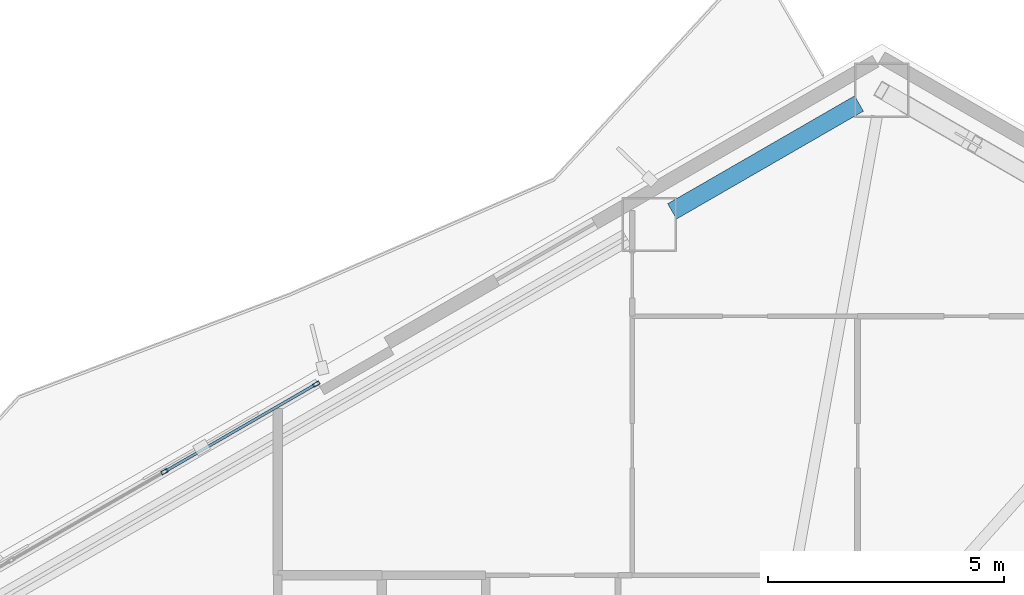
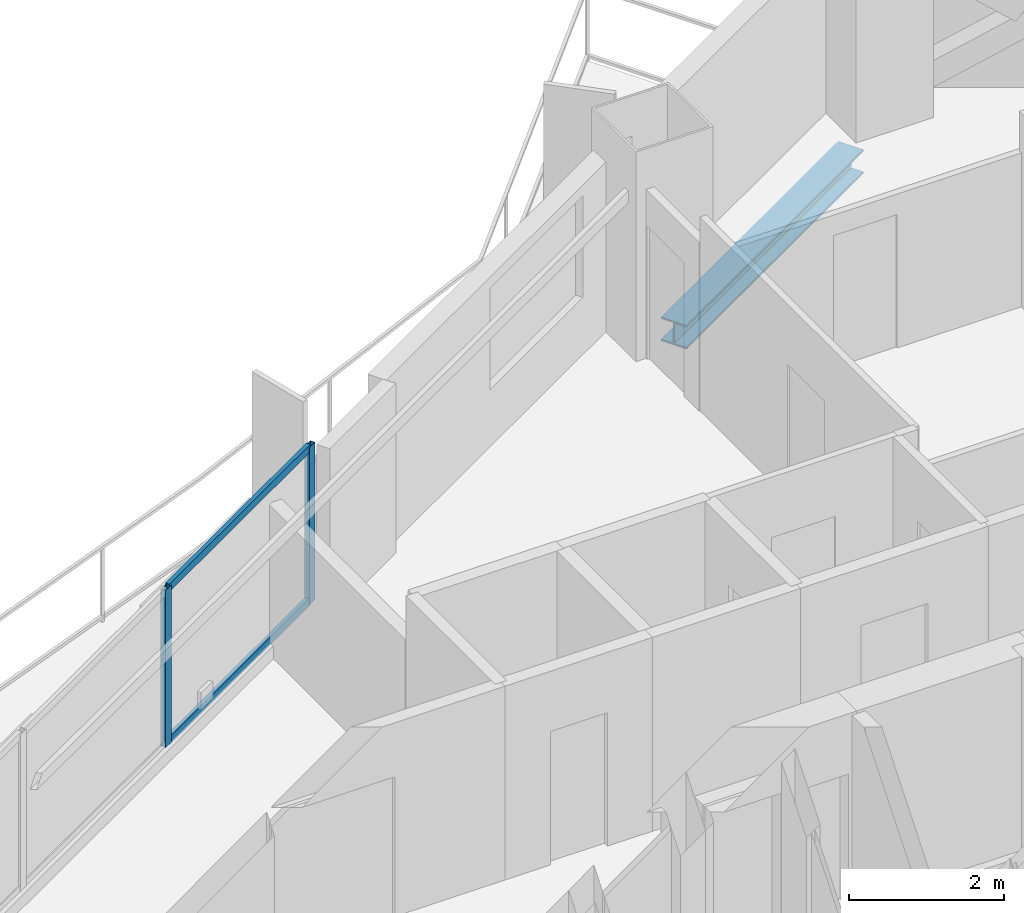
# One storey, part 13 of 22: 4 members, 1 beam, 1 element without a shape of its own.
"""IFC4 building model written with IfcOpenShell, lengths in metres."""

from ifc_helpers import new_model, si_unit, direction, frame, origin, origin_2d, place, context, subcontext, project, spatial, hollow_rectangle, i_section, extrude, material, layer, layer_set, material_profile, profile_set, type_object, element, aggregate, save


model = new_model("IFC4")

# Units and contexts
model_context = context("Model", 3, precision=1e-05, world=origin(), true_north=direction((0.0, 1.0)))
body_context = subcontext(model_context, "Body", "Model", "MODEL_VIEW")
ifc_project = project(units=[si_unit("LENGTHUNIT", "METRE"), si_unit("AREAUNIT", "SQUARE_METRE"), si_unit("VOLUMEUNIT", "CUBIC_METRE"), si_unit("PLANEANGLEUNIT", "RADIAN"), si_unit("MASSUNIT", "GRAM", prefix="KILO")], contexts=[model_context])

# Site, building, storey
site_placement = place(None, origin())
site = spatial("IfcSite", under=ifc_project, at=site_placement, CompositionType="ELEMENT")
building_placement = place(site_placement, origin())
building = spatial("IfcBuilding", under=site, at=building_placement, Name="Mersakhor Tower and Convention Hall", CompositionType="ELEMENT")
storey_placement = place(building_placement, frame((0.0, 0.0, 90.0)))
storey = spatial("IfcBuildingStorey", under=building, at=storey_placement, Name="L24", CompositionType="ELEMENT", Elevation=90.0)

# Beam
ifc_material_1 = material(Name="Steel S355", Category="steel")
ifc_material_profile_1 = material_profile(ifc_material_1, i_section(OverallWidth=0.374755859375, OverallDepth=0.37451171875, WebThickness=0.0166015625, FlangeThickness=0.027099609375, at=origin_2d()), Name="UC 356x368x202")
ifc_profile_set_1 = profile_set([ifc_material_profile_1], Name="Steel S355")
beam_type = type_object("IfcBeamType", Name="BM-SPD-UC356", PredefinedType="SPANDREL", material=ifc_profile_set_1)
beam_placement = place(storey_placement, frame((34.343505859375, 45.34814453125, -0.437255859375), z_axis=(0.866046694585, 0.499963121439, 0.0), x_axis=(-0.499963121439, 0.866046694585, 0.0)))
element("IfcBeam", 1, at=beam_placement, inside=storey, type_object=beam_type, Name="L24 Perimeter Spandrel Beam SPB-03", PredefinedType="SPANDREL", context=body_context, shape_type="SweptSolid", body=[
    extrude(i_section(OverallWidth=0.374755859375, OverallDepth=0.37451171875, WebThickness=0.0166015625, FlangeThickness=0.027099609375, at=origin_2d()), origin(), (0.0, 0.0, 1.0), 4.566162109375),
])

# Curtain wall, members
ifc_material_2 = material(Name="Dark solar low-E aluminium curtain wall", Category="aluminium")
ifc_layer = layer(ifc_material_2, 0.159912109375)
ifc_layer_set = layer_set([ifc_layer], Name="Dark solar low-E aluminium curtain wall")
curtain_wall_type = type_object("IfcCurtainWallType", Name="CW-SYS-01", PredefinedType="USERDEFINED", material=ifc_layer_set)
curtain_wall_placement = place(storey_placement, origin())
curtain_wall = element("IfcCurtainWall", 2, at=curtain_wall_placement, inside=storey, type_object=curtain_wall_type, Name="L24 Dark-Glass Curtain Wall F1-B2", ObjectType="CURTAIN WALL", PredefinedType="USERDEFINED")
ifc_material_3 = material(Name="Anodised aluminium EN AW-6063 T6", Category="aluminium")
ifc_material_profile_2 = material_profile(ifc_material_3, hollow_rectangle(XDim=0.074951171875, YDim=0.14990234375, WallThickness=0.00634765625, at=origin_2d()), Name="RHS 150x75x6.3")
ifc_profile_set_2 = profile_set([ifc_material_profile_2], Name="Anodised aluminium EN AW-6063 T6")
member_type_1 = type_object("IfcMemberType", Name="CWM-150x75", PredefinedType="MULLION", material=ifc_profile_set_2)
member_1_placement = place(storey_placement, frame((23.603515625, 39.840087890625, 0.199951171875), z_axis=(0.0, 0.0, 1.0), x_axis=(-0.499997904985, 0.866026613339, 0.0)))
member_1 = element("IfcMember", 3, at=member_1_placement, type_object=member_type_1, Name="CW-01 mullion 3", PredefinedType="MULLION", context=body_context, shape_type="SweptSolid", body=[
    extrude(hollow_rectangle(XDim=0.074951171875, YDim=0.14990234375, WallThickness=0.00634765625, at=origin_2d()), origin(), (0.0, 0.0, 1.0), 2.469970703125),
])
member_2_placement = place(storey_placement, frame((26.812744140625, 41.69287109375, 0.199951171875), z_axis=(0.0, 0.0, 1.0), x_axis=(-0.499997904985, 0.866026613339, 0.0)))
member_2 = element("IfcMember", 4, at=member_2_placement, type_object=member_type_1, Name="CW-01 mullion 4", PredefinedType="MULLION", context=body_context, shape_type="SweptSolid", body=[
    extrude(hollow_rectangle(XDim=0.074951171875, YDim=0.14990234375, WallThickness=0.00634765625, at=origin_2d()), origin(), (0.0, 0.0, 1.0), 2.469970703125),
])
ifc_material_4 = material(Name="Anodised aluminium EN AW-6063 T6", Category="aluminium")
ifc_material_profile_3 = material_profile(ifc_material_4, hollow_rectangle(XDim=0.06005859375, YDim=0.1201171875, WallThickness=0.0048828125, at=origin_2d()), Name="RHS 120x60x5")
ifc_profile_set_3 = profile_set([ifc_material_profile_3], Name="Anodised aluminium EN AW-6063 T6")
member_type_2 = type_object("IfcMemberType", Name="CWT-120x60", PredefinedType="USERDEFINED", material=ifc_profile_set_3)
member_3_placement = place(storey_placement, frame((23.635986328125, 39.85888671875, 0.22998046875), z_axis=(0.866016497289, 0.500015426185, 0.0), x_axis=(-0.500015426185, 0.866016497289, 0.0)))
member_3 = element("IfcMember", 5, at=member_3_placement, type_object=member_type_2, Name="CW-01 transom 3.1", ObjectType="TRANSOM", PredefinedType="USERDEFINED", context=body_context, shape_type="SweptSolid", body=[
    extrude(hollow_rectangle(XDim=0.06005859375, YDim=0.1201171875, WallThickness=0.0048828125, at=origin_2d()), origin(), (0.0, 0.0, 1.0), 3.630859375),
])
member_4_placement = place(storey_placement, frame((23.635986328125, 39.85888671875, 2.639892578125), z_axis=(0.866016497289, 0.500015426185, 0.0), x_axis=(-0.500015426185, 0.866016497289, 0.0)))
member_4 = element("IfcMember", 6, at=member_4_placement, type_object=member_type_2, Name="CW-01 transom 3.2", ObjectType="TRANSOM", PredefinedType="USERDEFINED", context=body_context, shape_type="SweptSolid", body=[
    extrude(hollow_rectangle(XDim=0.06005859375, YDim=0.1201171875, WallThickness=0.0048828125, at=origin_2d()), origin(), (0.0, 0.0, 1.0), 3.630859375),
])
aggregate(curtain_wall, [member_1, member_2, member_3, member_4])

save(model, "model.ifc")
